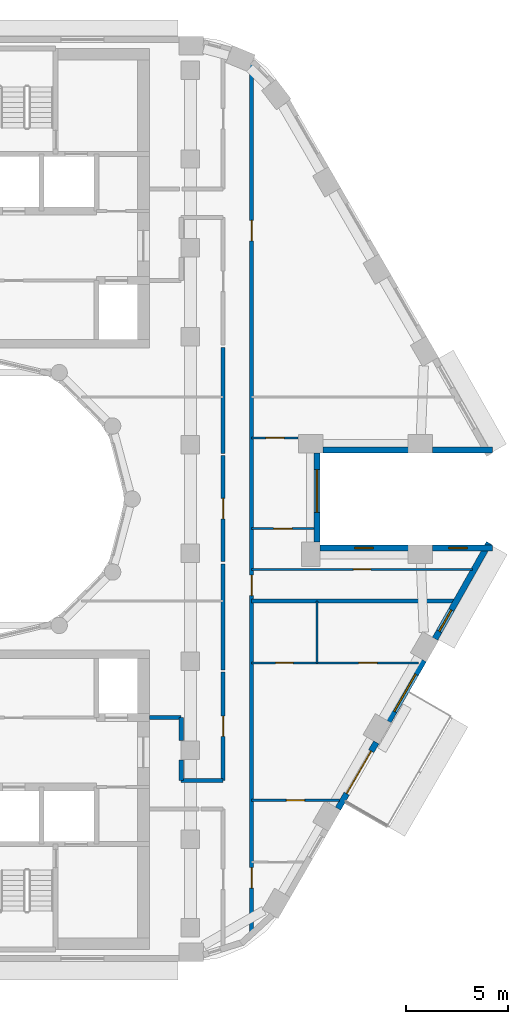
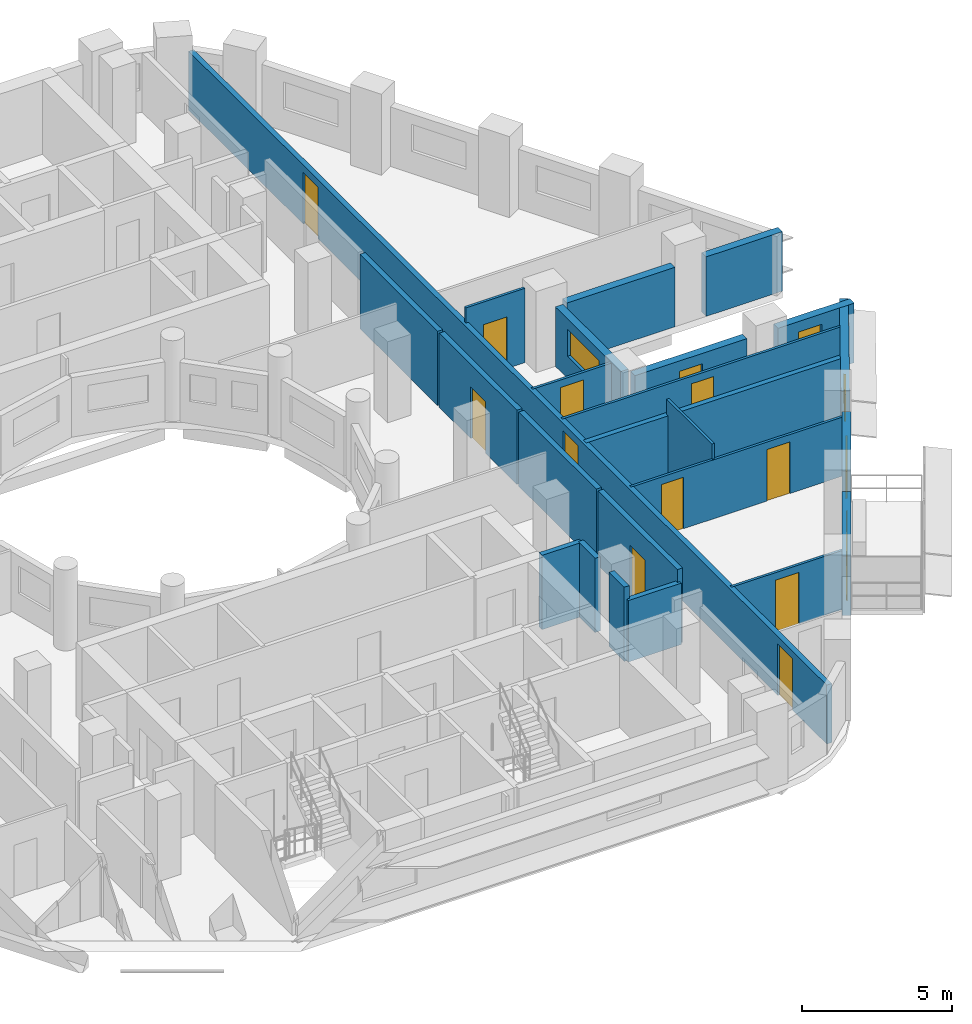
# One storey, part 6 of 15: 24 walls, 12 doors, 5 windows, 17 openings.
"""IFC4 building model written with IfcOpenShell, lengths in metres."""

from ifc_helpers import new_model, si_unit, direction, frame, frame_2d, origin, place, context, subcontext, project, spatial, rectangle, extrude, material, layer, layer_set, type_object, element, fill, save


model = new_model("IFC4")

# Units and contexts
model_context = context("Model", 3, precision=1e-05, world=origin(), true_north=direction((0.0, 1.0)))
body_context = subcontext(model_context, "Body", "Model", "MODEL_VIEW")
ifc_project = project(units=[si_unit("LENGTHUNIT", "METRE"), si_unit("AREAUNIT", "SQUARE_METRE"), si_unit("VOLUMEUNIT", "CUBIC_METRE"), si_unit("PLANEANGLEUNIT", "RADIAN"), si_unit("MASSUNIT", "GRAM", prefix="KILO")], contexts=[model_context])

# Site, building, storey
site_placement = place(None, origin())
site = spatial("IfcSite", under=ifc_project, at=site_placement, CompositionType="ELEMENT")
building_placement = place(site_placement, origin())
building = spatial("IfcBuilding", under=site, at=building_placement, Name="Nakaniwa Court", CompositionType="ELEMENT")
storey_placement = place(building_placement, frame((0.0, 0.0, 183.300048828125)))
storey = spatial("IfcBuildingStorey", under=building, at=storey_placement, Name="L47", CompositionType="ELEMENT", Elevation=183.300048828125)

# Wall, opening, door
ifc_material_1 = material(Name="Acoustic double stud partition")
ifc_layer_1 = layer(ifc_material_1, 0.199951171875)
ifc_layer_set_1 = layer_set([ifc_layer_1], Name="Acoustic double stud partition")
wall_type_1 = type_object("IfcWallType", Name="Acoustic double stud partition 200", PredefinedType="PARTITIONING", material=ifc_layer_set_1)
wall_1_placement = place(storey_placement, frame((91.60009765625, 66.22509765625, 0.0), z_axis=(0.0, 0.0, 1.0), x_axis=(0.0, 1.0, 0.0)))
wall_1 = element("IfcWall", 1, at=wall_1_placement, inside=storey, type_object=wall_type_1, Name="Partition PW-068", PredefinedType="PARTITIONING", context=body_context, shape_type="SweptSolid", body=[
    extrude(rectangle(XDim=5.297607421875, YDim=0.199951171875, at=frame_2d((2.64892578125, 0.0))), origin(), (0.0, 0.0, 1.0), 3.02490234375),
])
opening_1_placement = place(wall_1_placement, frame((2.14794921875, 0.0, 0.0)))
opening_1 = element("IfcOpeningElement", 2, at=opening_1_placement, cuts=wall_1, Name="Opening D-02-02", PredefinedType="OPENING", context=body_context, shape_type="SweptSolid", body=[
    extrude(rectangle(XDim=1.0, YDim=2.10009765625, at=frame_2d((0.5, 1.050048828125))), frame((0.0, 0.10986328125, 0.0), z_axis=(0.0, -1.0, 0.0), x_axis=(1.0, 0.0, 0.0)), (0.0, 0.0, 1.0), 0.219970703125),
])
ifc_material_2 = material(Name="Solid core timber door set, black veneer", Category="wood")
door_type_1 = type_object("IfcDoorType", Name="Internal door 1000", OperationType="NOTDEFINED", PredefinedType="DOOR", material=ifc_material_2)
door_1_placement = place(opening_1_placement, origin())
door_1 = element("IfcDoor", 3, at=door_1_placement, inside=storey, type_object=door_type_1, Name="Door D-02-02 L47-029", OperationType="SINGLE_SWING_RIGHT", OverallHeight=2.10009765625, OverallWidth=1.0, PredefinedType="DOOR", context=body_context, shape_type="SweptSolid", body=[
    extrude(rectangle(XDim=1.0, YDim=2.10009765625, at=frame_2d((0.5, 1.050048828125))), frame((0.0, 0.02490234375, 0.0), z_axis=(0.0, -1.0, 0.0), x_axis=(1.0, 0.0, 0.0)), (0.0, 0.0, 1.0), 0.050048828125),
])
fill(opening_1, door_1)

# Wall
wall_2_placement = place(storey_placement, frame((91.60009765625, 71.63720703125, 0.0), z_axis=(0.0, 0.0, 1.0), x_axis=(0.0, 1.0, 0.0)))
element("IfcWall", 4, at=wall_2_placement, inside=storey, type_object=wall_type_1, Name="Partition PW-069", PredefinedType="PARTITIONING", context=body_context, shape_type="SweptSolid", body=[
    extrude(rectangle(XDim=5.185546875, YDim=0.199951171875, at=frame_2d((2.5927734375, 0.0))), origin(), (0.0, 0.0, 1.0), 3.02490234375),
])

# Wall, opening, door
wall_3_placement = place(storey_placement, frame((91.60009765625, 76.937255859375, 0.0), z_axis=(0.0, 0.0, 1.0), x_axis=(0.0, 1.0, 0.0)))
wall_3 = element("IfcWall", 5, at=wall_3_placement, inside=storey, type_object=wall_type_1, Name="Partition PW-070", PredefinedType="PARTITIONING", context=body_context, shape_type="SweptSolid", body=[
    extrude(rectangle(XDim=5.185546875, YDim=0.199951171875, at=frame_2d((2.5927734375, 0.0))), origin(), (0.0, 0.0, 1.0), 3.02490234375),
])
opening_2_placement = place(wall_3_placement, frame((2.093017578125, 0.0, 0.0)))
opening_2 = element("IfcOpeningElement", 6, at=opening_2_placement, cuts=wall_3, Name="Opening D-02-03", PredefinedType="OPENING", context=body_context, shape_type="SweptSolid", body=[
    extrude(rectangle(XDim=1.0, YDim=2.10009765625, at=frame_2d((0.5, 1.050048828125))), frame((0.0, 0.10986328125, 0.0), z_axis=(0.0, -1.0, 0.0), x_axis=(1.0, 0.0, 0.0)), (0.0, 0.0, 1.0), 0.219970703125),
])
door_2_placement = place(opening_2_placement, origin())
door_2 = element("IfcDoor", 7, at=door_2_placement, inside=storey, type_object=door_type_1, Name="Door D-02-03 L47-030", OperationType="SINGLE_SWING_LEFT", OverallHeight=2.10009765625, OverallWidth=1.0, PredefinedType="DOOR", context=body_context, shape_type="SweptSolid", body=[
    extrude(rectangle(XDim=1.0, YDim=2.10009765625, at=frame_2d((0.5, 1.050048828125))), frame((0.0, 0.02490234375, 0.0), z_axis=(0.0, -1.0, 0.0), x_axis=(1.0, 0.0, 0.0)), (0.0, 0.0, 1.0), 0.050048828125),
])
fill(opening_2, door_2)

# Wall
wall_4_placement = place(storey_placement, frame((91.60009765625, 82.2373046875, 0.0), z_axis=(0.0, 0.0, 1.0), x_axis=(0.0, 1.0, 0.0)))
element("IfcWall", 8, at=wall_4_placement, inside=storey, type_object=wall_type_1, Name="Partition PW-071", PredefinedType="PARTITIONING", context=body_context, shape_type="SweptSolid", body=[
    extrude(rectangle(XDim=5.185546875, YDim=0.199951171875, at=frame_2d((2.5927734375, 0.0))), origin(), (0.0, 0.0, 1.0), 3.02490234375),
])

# Wall, openings, doors
wall_5_placement = place(storey_placement, frame((93.0, 101.28076171875, 0.0), z_axis=(0.0, 0.0, 1.0), x_axis=(0.0, -1.0, 0.0)))
wall_5 = element("IfcWall", 9, at=wall_5_placement, inside=storey, type_object=wall_type_1, Name="Partition PW-078", PredefinedType="PARTITIONING", context=body_context, shape_type="SweptSolid", body=[
    extrude(rectangle(XDim=42.6064453125, YDim=0.199951171875, at=frame_2d((21.30322265625, 0.0))), origin(), (0.0, 0.0, 1.0), 2.405029296875),
])
opening_3_placement = place(wall_5_placement, frame((39.330078125, 0.0, 0.0)))
opening_3 = element("IfcOpeningElement", 10, at=opening_3_placement, cuts=wall_5, Name="Opening D-01-01", PredefinedType="OPENING", context=body_context, shape_type="SweptSolid", body=[
    extrude(rectangle(XDim=1.0, YDim=2.10009765625, at=frame_2d((0.5, 1.050048828125))), frame((0.0, 0.10986328125, 0.0), z_axis=(0.0, -1.0, 0.0), x_axis=(1.0, 0.0, 0.0)), (0.0, 0.0, 1.0), 0.219970703125),
])
opening_4_placement = place(wall_5_placement, frame((25.0048828125, 0.0, 0.0)))
opening_4 = element("IfcOpeningElement", 11, at=opening_4_placement, cuts=wall_5, Name="Opening D-01-02", PredefinedType="OPENING", context=body_context, shape_type="SweptSolid", body=[
    extrude(rectangle(XDim=1.0, YDim=2.10009765625, at=frame_2d((0.5, 1.050048828125))), frame((0.0, 0.10986328125, 0.0), z_axis=(0.0, -1.0, 0.0), x_axis=(1.0, 0.0, 0.0)), (0.0, 0.0, 1.0), 0.219970703125),
])
opening_5_placement = place(wall_5_placement, frame((7.64306640625, 0.0, 0.0)))
opening_5 = element("IfcOpeningElement", 12, at=opening_5_placement, cuts=wall_5, Name="Opening D-02-04", PredefinedType="OPENING", context=body_context, shape_type="SweptSolid", body=[
    extrude(rectangle(XDim=1.0, YDim=2.10009765625, at=frame_2d((0.5, 1.050048828125))), frame((0.0, 0.10986328125, 0.0), z_axis=(0.0, -1.0, 0.0), x_axis=(1.0, 0.0, 0.0)), (0.0, 0.0, 1.0), 0.219970703125),
])
door_type_2 = type_object("IfcDoorType", Name="Flat entrance door 1000", OperationType="NOTDEFINED", PredefinedType="DOOR", material=ifc_material_2)
door_3_placement = place(opening_3_placement, origin())
door_3 = element("IfcDoor", 13, at=door_3_placement, inside=storey, type_object=door_type_2, Name="Door D-01-01 L47-024", OperationType="SINGLE_SWING_LEFT", OverallHeight=2.10009765625, OverallWidth=1.0, PredefinedType="DOOR", context=body_context, shape_type="SweptSolid", body=[
    extrude(rectangle(XDim=1.0, YDim=2.10009765625, at=frame_2d((0.5, 1.050048828125))), frame((0.0, 0.02490234375, 0.0), z_axis=(0.0, -1.0, 0.0), x_axis=(1.0, 0.0, 0.0)), (0.0, 0.0, 1.0), 0.050048828125),
])
fill(opening_3, door_3)
door_4_placement = place(opening_4_placement, origin())
door_4 = element("IfcDoor", 14, at=door_4_placement, inside=storey, type_object=door_type_2, Name="Door D-01-02 L47-031", OperationType="SINGLE_SWING_RIGHT", OverallHeight=2.10009765625, OverallWidth=1.0, PredefinedType="DOOR", context=body_context, shape_type="SweptSolid", body=[
    extrude(rectangle(XDim=1.0, YDim=2.10009765625, at=frame_2d((0.5, 1.050048828125))), frame((0.0, 0.02490234375, 0.0), z_axis=(0.0, -1.0, 0.0), x_axis=(1.0, 0.0, 0.0)), (0.0, 0.0, 1.0), 0.050048828125),
])
fill(opening_4, door_4)
door_5_placement = place(opening_5_placement, origin())
door_5 = element("IfcDoor", 15, at=door_5_placement, inside=storey, type_object=door_type_1, Name="Door D-02-04 L47-035", OperationType="SINGLE_SWING_RIGHT", OverallHeight=2.10009765625, OverallWidth=1.0, PredefinedType="DOOR", context=body_context, shape_type="SweptSolid", body=[
    extrude(rectangle(XDim=1.0, YDim=2.10009765625, at=frame_2d((0.5, 1.050048828125))), frame((0.0, 0.02490234375, 0.0), z_axis=(0.0, -1.0, 0.0), x_axis=(1.0, 0.0, 0.0)), (0.0, 0.0, 1.0), 0.050048828125),
])
fill(opening_5, door_5)

# Walls
wall_6_placement = place(storey_placement, frame((88.0, 69.300048828125, 0.0), z_axis=(0.0, 0.0, 1.0), x_axis=(1.0, 0.0, 0.0)))
element("IfcWall", 16, at=wall_6_placement, inside=storey, type_object=wall_type_1, Name="Partition PW-080", PredefinedType="PARTITIONING", context=body_context, shape_type="SweptSolid", body=[
    extrude(rectangle(XDim=1.550048828125, YDim=0.199951171875, at=frame_2d((0.77490234375, 0.0))), origin(), (0.0, 0.0, 1.0), 3.02490234375),
])
wall_7_placement = place(storey_placement, frame((89.550048828125, 66.22509765625, 0.0), z_axis=(0.0, 0.0, 1.0), x_axis=(0.0, 1.0, 0.0)))
element("IfcWall", 17, at=wall_7_placement, inside=storey, type_object=wall_type_1, Name="Partition PW-081", PredefinedType="PARTITIONING", context=body_context, shape_type="SweptSolid", body=[
    extrude(rectangle(XDim=1.0078125, YDim=0.199951171875, at=frame_2d((0.50390625, 0.0))), origin(), (0.0, 0.0, 1.0), 3.02490234375),
])
wall_8_placement = place(storey_placement, frame((89.550048828125, 68.167236328125, 0.0), z_axis=(0.0, 0.0, 1.0), x_axis=(0.0, 1.0, 0.0)))
element("IfcWall", 18, at=wall_8_placement, inside=storey, type_object=wall_type_1, Name="Partition PW-082", PredefinedType="PARTITIONING", context=body_context, shape_type="SweptSolid", body=[
    extrude(rectangle(XDim=1.1328125, YDim=0.199951171875, at=frame_2d((0.56640625, 0.0))), origin(), (0.0, 0.0, 1.0), 3.02490234375),
])
wall_9_placement = place(storey_placement, frame((89.550048828125, 66.22509765625, 0.0), z_axis=(0.0, 0.0, 1.0), x_axis=(1.0, 0.0, 0.0)))
element("IfcWall", 19, at=wall_9_placement, inside=storey, type_object=wall_type_1, Name="Partition PW-086", PredefinedType="PARTITIONING", context=body_context, shape_type="SweptSolid", body=[
    extrude(rectangle(XDim=2.050048828125, YDim=0.199951171875, at=frame_2d((1.02490234375, 0.0))), origin(), (0.0, 0.0, 1.0), 2.5048828125),
])
wall_10_placement = place(storey_placement, frame((93.001220703125, 75.0, 0.0), z_axis=(0.0, 0.0, 1.0), x_axis=(1.0, 0.0, 0.0)))
element("IfcWall", 20, at=wall_10_placement, inside=storey, type_object=wall_type_1, Name="Partition PW-116", PredefinedType="PARTITIONING", context=body_context, shape_type="SweptSolid", body=[
    extrude(rectangle(XDim=9.91943359375, YDim=0.199951171875, at=frame_2d((4.959716796875, 0.0))), origin(), (0.0, 0.0, 1.0), 2.405029296875),
])
ifc_material_3 = material(Name="Charcoal ceramic cladding")
ifc_layer_2 = layer(ifc_material_3, 0.02, Name="Ceramic cladding")
ifc_material_4 = material(Name="Ventilated air cavity")
ifc_layer_3 = layer(ifc_material_4, 0.04, ventilated=True, Name="Ventilated cavity")
ifc_material_5 = material(Name="Mineral wool insulation")
ifc_layer_4 = layer(ifc_material_5, 0.1, Name="Insulation")
ifc_material_6 = material(Name="Cement bonded sheathing board")
ifc_layer_5 = layer(ifc_material_6, 0.012, Name="Sheathing")
ifc_material_7 = material(Name="Cold-formed galvanised stud frame with mineral wool infill")
ifc_layer_6 = layer(ifc_material_7, 0.1, Name="Stud frame")
ifc_material_8 = material(Name="Fire-rated gypsum plasterboard lining")
ifc_layer_7 = layer(ifc_material_8, 0.028, Name="Lining")
ifc_layer_set_2 = layer_set([ifc_layer_2, ifc_layer_3, ifc_layer_4, ifc_layer_5, ifc_layer_6, ifc_layer_7], Name="Charcoal ceramic faced external wall system")
wall_type_2 = type_object("IfcWallType", Name="Black ceramic faced external wall 300", PredefinedType="SOLIDWALL", material=ifc_layer_set_2)
wall_11_placement = place(storey_placement, frame((96.49560546875, 82.39990234375, 0.0), z_axis=(0.0, 0.0, 1.0), x_axis=(1.0, 0.0, 0.0)))
element("IfcWall", 21, at=wall_11_placement, inside=storey, type_object=wall_type_2, Name="L47 external wall 00", PredefinedType="SOLIDWALL", context=body_context, shape_type="SweptSolid", body=[
    extrude(rectangle(XDim=4.17236328125, YDim=0.300048828125, at=frame_2d((2.086181640625, 0.0))), origin(), (0.0, 0.0, 1.0), 2.425048828125),
])
wall_12_placement = place(storey_placement, frame((101.860107421875, 82.39990234375, 0.0), z_axis=(0.0, 0.0, 1.0), x_axis=(1.0, 0.0, 0.0)))
element("IfcWall", 22, at=wall_12_placement, inside=storey, type_object=wall_type_2, Name="L47 external wall 01", PredefinedType="SOLIDWALL", context=body_context, shape_type="SweptSolid", body=[
    extrude(rectangle(XDim=2.937744140625, YDim=0.300048828125, at=frame_2d((1.46875, 0.0))), origin(), (0.0, 0.0, 1.0), 2.425048828125),
])

# Wall, opening, door
wall_13_placement = place(storey_placement, frame((97.22900390625, 64.841552734375, 0.0), z_axis=(0.0, 0.0, 1.0), x_axis=(0.500059225181, 0.86599120741, 0.0)))
wall_13 = element("IfcWall", 23, at=wall_13_placement, inside=storey, type_object=wall_type_2, Name="L47 external wall 30", PredefinedType="SOLIDWALL", context=body_context, shape_type="SweptSolid", body=[
    extrude(rectangle(XDim=3.744140625, YDim=0.300048828125, at=frame_2d((1.8720703125, 0.0))), origin(), (0.0, 0.0, 1.0), 2.425048828125),
])
opening_6_placement = place(wall_13_placement, frame((0.847412109375, 0.0, 0.0)))
opening_6 = element("IfcOpeningElement", 24, at=opening_6_placement, cuts=wall_13, Name="Opening XD13.02", PredefinedType="OPENING", context=body_context, shape_type="SweptSolid", body=[
    extrude(rectangle(XDim=2.39990234375, YDim=2.0, at=frame_2d((1.199951171875, 1.0))), frame((0.0, 0.159912109375, 0.0), z_axis=(0.0, -1.0, 0.0), x_axis=(1.0, 0.0, 0.0)), (0.0, 0.0, 1.0), 0.320068359375),
])
ifc_material_9 = material(Name="Black powder-coated aluminium frame with dark laminated glass", Category="aluminium")
door_type_3 = type_object("IfcDoorType", Name="Balcony sliding door 2400x2000", OperationType="DOUBLE_DOOR_SLIDING", PredefinedType="DOOR", material=ifc_material_9)
door_6_placement = place(opening_6_placement, origin())
door_6 = element("IfcDoor", 25, at=door_6_placement, inside=storey, type_object=door_type_3, Name="L47 balcony sliding door 02", OperationType="DOUBLE_DOOR_SLIDING", OverallHeight=2.0, OverallWidth=2.39990234375, PredefinedType="DOOR", context=body_context, shape_type="SweptSolid", body=[
    extrude(rectangle(XDim=2.39990234375, YDim=2.0, at=frame_2d((1.199951171875, 1.0))), frame((0.0, 0.02490234375, 0.0), z_axis=(0.0, -1.0, 0.0), x_axis=(1.0, 0.0, 0.0)), (0.0, 0.0, 1.0), 0.050048828125),
])
fill(opening_6, door_6)

# Wall, opening, window
wall_14_placement = place(storey_placement, frame((99.697265625, 69.116455078125, 0.0), z_axis=(0.0, 0.0, 1.0), x_axis=(0.499955427682, 0.866051136095, 0.0)))
wall_14 = element("IfcWall", 26, at=wall_14_placement, inside=storey, type_object=wall_type_2, Name="L47 external wall 31", PredefinedType="SOLIDWALL", context=body_context, shape_type="SweptSolid", body=[
    extrude(rectangle(XDim=3.447021484375, YDim=0.300048828125, at=frame_2d((1.7236328125, 0.0))), origin(), (0.0, 0.0, 1.0), 2.425048828125),
])
opening_7_placement = place(wall_14_placement, frame((0.56298828125, 0.0, 0.89990234375)))
opening_7 = element("IfcOpeningElement", 27, at=opening_7_placement, cuts=wall_14, Name="Opening W7.31", PredefinedType="OPENING", context=body_context, shape_type="SweptSolid", body=[
    extrude(rectangle(XDim=2.10009765625, YDim=1.10009765625, at=frame_2d((1.050048828125, 0.550048828125))), frame((0.0, 0.159912109375, 0.0), z_axis=(0.0, -1.0, 0.0), x_axis=(1.0, 0.0, 0.0)), (0.0, 0.0, 1.0), 0.320068359375),
])
ifc_material_10 = material(Name="Black anodised aluminium frame with dark low-E laminated double glazing", Category="aluminium")
window_type_1 = type_object("IfcWindowType", Name="Dark glass window 2100x1100 sill 900", PartitioningType="SINGLE_PANEL", PredefinedType="WINDOW", material=ifc_material_10)
window_1_placement = place(opening_7_placement, origin())
window_1 = element("IfcWindow", 28, at=window_1_placement, inside=storey, type_object=window_type_1, Name="L47 living window 31-0", OverallHeight=1.10009765625, OverallWidth=2.10009765625, PartitioningType="SINGLE_PANEL", PredefinedType="WINDOW", context=body_context, shape_type="SweptSolid", body=[
    extrude(rectangle(XDim=2.10009765625, YDim=1.10009765625, at=frame_2d((1.050048828125, 0.550048828125))), frame((0.0, 0.030029296875, 0.0), z_axis=(0.0, -1.0, 0.0), x_axis=(1.0, 0.0, 0.0)), (0.0, 0.0, 1.0), 0.06005859375),
])
fill(opening_7, window_1)

wall_15_placement = place(storey_placement, frame((101.976806640625, 73.156982421875, 0.0), z_axis=(0.0, 0.0, 1.0), x_axis=(0.492033360928, 0.870576344575, 0.0)))
wall_15 = element("IfcWall", 29, at=wall_15_placement, inside=storey, type_object=wall_type_2, Name="L47 external wall 32", PredefinedType="SOLIDWALL", context=body_context, shape_type="SweptSolid", body=[
    extrude(rectangle(XDim=5.38671875, YDim=0.300048828125, at=frame_2d((2.693359375, 0.0))), origin(), (0.0, 0.0, 1.0), 2.425048828125),
])
opening_8_placement = place(wall_15_placement, frame((0.42333984375, 0.0, 0.89990234375)))
opening_8 = element("IfcOpeningElement", 30, at=opening_8_placement, cuts=wall_15, Name="Opening W6.32", PredefinedType="OPENING", context=body_context, shape_type="SweptSolid", body=[
    extrude(rectangle(XDim=1.199951171875, YDim=1.10009765625, at=frame_2d((0.60009765625, 0.550048828125))), frame((0.0, 0.159912109375, 0.0), z_axis=(0.0, -1.0, 0.0), x_axis=(1.0, 0.0, 0.0)), (0.0, 0.0, 1.0), 0.320068359375),
])
window_type_2 = type_object("IfcWindowType", Name="Dark glass window 1200x1100 sill 900", PartitioningType="SINGLE_PANEL", PredefinedType="WINDOW", material=ifc_material_10)
window_2_placement = place(opening_8_placement, origin())
window_2 = element("IfcWindow", 31, at=window_2_placement, inside=storey, type_object=window_type_2, Name="L47 habitable room window 32-0", OverallHeight=1.10009765625, OverallWidth=1.199951171875, PartitioningType="SINGLE_PANEL", PredefinedType="WINDOW", context=body_context, shape_type="SweptSolid", body=[
    extrude(rectangle(XDim=1.199951171875, YDim=1.10009765625, at=frame_2d((0.60009765625, 0.550048828125))), frame((0.0, 0.030029296875, 0.0), z_axis=(0.0, -1.0, 0.0), x_axis=(1.0, 0.0, 0.0)), (0.0, 0.0, 1.0), 0.06005859375),
])
fill(opening_8, window_2)

wall_16_placement = place(storey_placement, frame((104.7978515625, 77.60009765625, 0.0), z_axis=(0.0, 0.0, 1.0), x_axis=(-1.0, 0.0, 0.0)))
wall_16 = element("IfcWall", 32, at=wall_16_placement, inside=storey, type_object=wall_type_2, Name="L47 external wall 33", PredefinedType="SOLIDWALL", context=body_context, shape_type="SweptSolid", body=[
    extrude(rectangle(XDim=2.937744140625, YDim=0.300048828125, at=frame_2d((1.46875, 0.0))), origin(), (0.0, 0.0, 1.0), 2.425048828125),
])
opening_9_placement = place(wall_16_placement, frame((1.243896484375, 0.0, 1.5)))
opening_9 = element("IfcOpeningElement", 33, at=opening_9_placement, cuts=wall_16, Name="Opening W10.33", PredefinedType="OPENING", context=body_context, shape_type="SweptSolid", body=[
    extrude(rectangle(XDim=0.89990234375, YDim=0.5, at=frame_2d((0.449951171875, 0.25))), frame((0.0, 0.159912109375, 0.0), z_axis=(0.0, -1.0, 0.0), x_axis=(1.0, 0.0, 0.0)), (0.0, 0.0, 1.0), 0.320068359375),
])
window_type_3 = type_object("IfcWindowType", Name="Dark glass window 900x500 sill 1500", PartitioningType="SINGLE_PANEL", PredefinedType="WINDOW", material=ifc_material_10)
window_3_placement = place(opening_9_placement, origin())
window_3 = element("IfcWindow", 34, at=window_3_placement, inside=storey, type_object=window_type_3, Name="L47 bathroom window 33-0", OverallHeight=0.5, OverallWidth=0.89990234375, PartitioningType="SINGLE_PANEL", PredefinedType="WINDOW", context=body_context, shape_type="SweptSolid", body=[
    extrude(rectangle(XDim=0.89990234375, YDim=0.5, at=frame_2d((0.449951171875, 0.25))), frame((0.0, 0.030029296875, 0.0), z_axis=(0.0, -1.0, 0.0), x_axis=(1.0, 0.0, 0.0)), (0.0, 0.0, 1.0), 0.06005859375),
])
fill(opening_9, window_3)

wall_17_placement = place(storey_placement, frame((100.66796875, 77.60009765625, 0.0), z_axis=(0.0, 0.0, 1.0), x_axis=(-1.0, 0.0, 0.0)))
wall_17 = element("IfcWall", 35, at=wall_17_placement, inside=storey, type_object=wall_type_2, Name="L47 external wall 34", PredefinedType="SOLIDWALL", context=body_context, shape_type="SweptSolid", body=[
    extrude(rectangle(XDim=4.322509765625, YDim=0.300048828125, at=frame_2d((2.1611328125, 0.0))), origin(), (0.0, 0.0, 1.0), 2.425048828125),
])
opening_10_placement = place(wall_17_placement, frame((1.711181640625, 0.0, 1.5)))
opening_10 = element("IfcOpeningElement", 36, at=opening_10_placement, cuts=wall_17, Name="Opening W10.34", PredefinedType="OPENING", context=body_context, shape_type="SweptSolid", body=[
    extrude(rectangle(XDim=0.89990234375, YDim=0.5, at=frame_2d((0.449951171875, 0.25))), frame((0.0, 0.159912109375, 0.0), z_axis=(0.0, -1.0, 0.0), x_axis=(1.0, 0.0, 0.0)), (0.0, 0.0, 1.0), 0.320068359375),
])
window_4_placement = place(opening_10_placement, origin())
window_4 = element("IfcWindow", 37, at=window_4_placement, inside=storey, type_object=window_type_3, Name="L47 bathroom window 34-0", OverallHeight=0.5, OverallWidth=0.89990234375, PartitioningType="SINGLE_PANEL", PredefinedType="WINDOW", context=body_context, shape_type="SweptSolid", body=[
    extrude(rectangle(XDim=0.89990234375, YDim=0.5, at=frame_2d((0.449951171875, 0.25))), frame((0.0, 0.030029296875, 0.0), z_axis=(0.0, -1.0, 0.0), x_axis=(1.0, 0.0, 0.0)), (0.0, 0.0, 1.0), 0.06005859375),
])
fill(opening_10, window_4)

wall_18_placement = place(storey_placement, frame((96.199462890625, 77.89599609375, 0.0), z_axis=(0.0, 0.0, 1.0), x_axis=(0.0, 1.0, 0.0)))
wall_18 = element("IfcWall", 38, at=wall_18_placement, inside=storey, type_object=wall_type_2, Name="L47 external wall 35", PredefinedType="SOLIDWALL", context=body_context, shape_type="SweptSolid", body=[
    extrude(rectangle(XDim=4.35791015625, YDim=0.300048828125, at=frame_2d((2.178955078125, 0.0))), origin(), (0.0, 0.0, 1.0), 2.425048828125),
])
opening_11_placement = place(wall_18_placement, frame((1.444580078125, 0.0, 0.89990234375)))
opening_11 = element("IfcOpeningElement", 39, at=opening_11_placement, cuts=wall_18, Name="Opening W7.35", PredefinedType="OPENING", context=body_context, shape_type="SweptSolid", body=[
    extrude(rectangle(XDim=2.10009765625, YDim=1.10009765625, at=frame_2d((1.050048828125, 0.550048828125))), frame((0.0, 0.159912109375, 0.0), z_axis=(0.0, -1.0, 0.0), x_axis=(1.0, 0.0, 0.0)), (0.0, 0.0, 1.0), 0.320068359375),
])
window_5_placement = place(opening_11_placement, origin())
window_5 = element("IfcWindow", 40, at=window_5_placement, inside=storey, type_object=window_type_1, Name="L47 living window 35-1", OverallHeight=1.10009765625, OverallWidth=2.10009765625, PartitioningType="SINGLE_PANEL", PredefinedType="WINDOW", context=body_context, shape_type="SweptSolid", body=[
    extrude(rectangle(XDim=2.10009765625, YDim=1.10009765625, at=frame_2d((1.050048828125, 0.550048828125))), frame((0.0, 0.030029296875, 0.0), z_axis=(0.0, -1.0, 0.0), x_axis=(1.0, 0.0, 0.0)), (0.0, 0.0, 1.0), 0.06005859375),
])
fill(opening_11, window_5)

# Wall, opening, door
ifc_material_11 = material(Name="Single stud plasterboard partition")
ifc_layer_8 = layer(ifc_material_11, 0.10009765625)
ifc_layer_set_3 = layer_set([ifc_layer_8], Name="Single stud plasterboard partition")
wall_type_3 = type_object("IfcWallType", Name="Single stud plasterboard partition 100", PredefinedType="PARTITIONING", material=ifc_layer_set_3)
wall_19_placement = place(storey_placement, frame((93.0009765625, 65.2509765625, 0.0), z_axis=(0.0, 0.0, 1.0), x_axis=(1.0, 0.0, 0.0)))
wall_19 = element("IfcWall", 41, at=wall_19_placement, inside=storey, type_object=wall_type_3, Name="Partition PW-113", PredefinedType="PARTITIONING", context=body_context, shape_type="SweptSolid", body=[
    extrude(rectangle(XDim=4.291015625, YDim=0.10009765625, at=frame_2d((2.1455078125, 0.0))), origin(), (0.0, 0.0, 1.0), 2.405029296875),
])
opening_12_placement = place(wall_19_placement, frame((1.696044921875, 0.0, 0.0)))
opening_12 = element("IfcOpeningElement", 42, at=opening_12_placement, cuts=wall_19, Name="Opening D-33-02", PredefinedType="OPENING", context=body_context, shape_type="SweptSolid", body=[
    extrude(rectangle(XDim=0.89990234375, YDim=2.10009765625, at=frame_2d((0.449951171875, 1.050048828125))), frame((0.0, 0.06005859375, 0.0), z_axis=(0.0, -1.0, 0.0), x_axis=(1.0, 0.0, 0.0)), (0.0, 0.0, 1.0), 0.1201171875),
])
door_type_4 = type_object("IfcDoorType", Name="Internal door 900", OperationType="NOTDEFINED", PredefinedType="DOOR", material=ifc_material_2)
door_7_placement = place(opening_12_placement, origin())
door_7 = element("IfcDoor", 43, at=door_7_placement, inside=storey, type_object=door_type_4, Name="Door D-33-02 L47-026", OperationType="SINGLE_SWING_LEFT", OverallHeight=2.10009765625, OverallWidth=0.89990234375, PredefinedType="DOOR", context=body_context, shape_type="SweptSolid", body=[
    extrude(rectangle(XDim=0.89990234375, YDim=2.10009765625, at=frame_2d((0.449951171875, 1.050048828125))), frame((0.0, 0.02490234375, 0.0), z_axis=(0.0, -1.0, 0.0), x_axis=(1.0, 0.0, 0.0)), (0.0, 0.0, 1.0), 0.050048828125),
])
fill(opening_12, door_7)

# Wall, openings, doors
wall_20_placement = place(storey_placement, frame((93.0009765625, 71.97412109375, 0.0), z_axis=(0.0, 0.0, 1.0), x_axis=(1.0, 0.0, 0.0)))
wall_20 = element("IfcWall", 44, at=wall_20_placement, inside=storey, type_object=wall_type_3, Name="Partition PW-114", PredefinedType="PARTITIONING", context=body_context, shape_type="SweptSolid", body=[
    extrude(rectangle(XDim=8.173095703125, YDim=0.10009765625, at=frame_2d((4.08642578125, 0.0))), origin(), (0.0, 0.0, 1.0), 2.405029296875),
])
opening_13_placement = place(wall_20_placement, frame((1.175048828125, 0.0, 0.0)))
opening_13 = element("IfcOpeningElement", 45, at=opening_13_placement, cuts=wall_20, Name="Opening D-03-01", PredefinedType="OPENING", context=body_context, shape_type="SweptSolid", body=[
    extrude(rectangle(XDim=0.85009765625, YDim=2.10009765625, at=frame_2d((0.425048828125, 1.050048828125))), frame((0.0, 0.06005859375, 0.0), z_axis=(0.0, -1.0, 0.0), x_axis=(1.0, 0.0, 0.0)), (0.0, 0.0, 1.0), 0.1201171875),
])
opening_14_placement = place(wall_20_placement, frame((5.236083984375, 0.0, 0.0)))
opening_14 = element("IfcOpeningElement", 46, at=opening_14_placement, cuts=wall_20, Name="Opening D-33-03", PredefinedType="OPENING", context=body_context, shape_type="SweptSolid", body=[
    extrude(rectangle(XDim=0.89990234375, YDim=2.10009765625, at=frame_2d((0.449951171875, 1.050048828125))), frame((0.0, 0.06005859375, 0.0), z_axis=(0.0, -1.0, 0.0), x_axis=(1.0, 0.0, 0.0)), (0.0, 0.0, 1.0), 0.1201171875),
])
ifc_material_12 = material(Name="Moisture sealed timber door set", Category="wood")
door_type_5 = type_object("IfcDoorType", Name="Bathroom door 850", OperationType="NOTDEFINED", PredefinedType="DOOR", material=ifc_material_12)
door_8_placement = place(opening_13_placement, origin())
door_8 = element("IfcDoor", 47, at=door_8_placement, inside=storey, type_object=door_type_5, Name="Door D-03-01 L47-027", OperationType="SINGLE_SWING_RIGHT", OverallHeight=2.10009765625, OverallWidth=0.85009765625, PredefinedType="DOOR", context=body_context, shape_type="SweptSolid", body=[
    extrude(rectangle(XDim=0.85009765625, YDim=2.10009765625, at=frame_2d((0.425048828125, 1.050048828125))), frame((0.0, 0.02490234375, 0.0), z_axis=(0.0, -1.0, 0.0), x_axis=(1.0, 0.0, 0.0)), (0.0, 0.0, 1.0), 0.050048828125),
])
fill(opening_13, door_8)
door_9_placement = place(opening_14_placement, origin())
door_9 = element("IfcDoor", 48, at=door_9_placement, inside=storey, type_object=door_type_4, Name="Door D-33-03 L47-028", OperationType="SINGLE_SWING_LEFT", OverallHeight=2.10009765625, OverallWidth=0.89990234375, PredefinedType="DOOR", context=body_context, shape_type="SweptSolid", body=[
    extrude(rectangle(XDim=0.89990234375, YDim=2.10009765625, at=frame_2d((0.449951171875, 1.050048828125))), frame((0.0, 0.02490234375, 0.0), z_axis=(0.0, -1.0, 0.0), x_axis=(1.0, 0.0, 0.0)), (0.0, 0.0, 1.0), 0.050048828125),
])
fill(opening_14, door_9)

# Wall
wall_21_placement = place(storey_placement, frame((96.200927734375, 71.974365234375, 0.0), z_axis=(0.0, 0.0, 1.0), x_axis=(0.0, 1.0, 0.0)))
element("IfcWall", 49, at=wall_21_placement, inside=storey, type_object=wall_type_3, Name="Partition PW-115", PredefinedType="PARTITIONING", context=body_context, shape_type="SweptSolid", body=[
    extrude(rectangle(XDim=3.025634765625, YDim=0.10009765625, at=frame_2d((1.5126953125, 0.0))), origin(), (0.0, 0.0, 1.0), 3.02490234375),
])

# Wall, opening, door
wall_22_placement = place(storey_placement, frame((93.0009765625, 76.550048828125, 0.0), z_axis=(0.0, 0.0, 1.0), x_axis=(1.0, 0.0, 0.0)))
wall_22 = element("IfcWall", 50, at=wall_22_placement, inside=storey, type_object=wall_type_3, Name="Partition PW-120", PredefinedType="PARTITIONING", context=body_context, shape_type="SweptSolid", body=[
    extrude(rectangle(XDim=10.81494140625, YDim=0.10009765625, at=frame_2d((5.407470703125, 0.0))), origin(), (0.0, 0.0, 1.0), 2.405029296875),
])
opening_15_placement = place(wall_22_placement, frame((4.98193359375, 0.0, 0.0)))
opening_15 = element("IfcOpeningElement", 51, at=opening_15_placement, cuts=wall_22, Name="Opening D-03-02", PredefinedType="OPENING", context=body_context, shape_type="SweptSolid", body=[
    extrude(rectangle(XDim=0.85009765625, YDim=2.10009765625, at=frame_2d((0.425048828125, 1.050048828125))), frame((0.0, 0.06005859375, 0.0), z_axis=(0.0, -1.0, 0.0), x_axis=(1.0, 0.0, 0.0)), (0.0, 0.0, 1.0), 0.1201171875),
])
door_10_placement = place(opening_15_placement, origin())
door_10 = element("IfcDoor", 52, at=door_10_placement, inside=storey, type_object=door_type_5, Name="Door D-03-02 L47-032", OperationType="SINGLE_SWING_LEFT", OverallHeight=2.10009765625, OverallWidth=0.85009765625, PredefinedType="DOOR", context=body_context, shape_type="SweptSolid", body=[
    extrude(rectangle(XDim=0.85009765625, YDim=2.10009765625, at=frame_2d((0.425048828125, 1.050048828125))), frame((0.0, 0.02490234375, 0.0), z_axis=(0.0, -1.0, 0.0), x_axis=(1.0, 0.0, 0.0)), (0.0, 0.0, 1.0), 0.050048828125),
])
fill(opening_15, door_10)

wall_23_placement = place(storey_placement, frame((93.0009765625, 78.551025390625, 0.0), z_axis=(0.0, 0.0, 1.0), x_axis=(1.0, 0.0, 0.0)))
wall_23 = element("IfcWall", 53, at=wall_23_placement, inside=storey, type_object=wall_type_3, Name="Partition PW-121", PredefinedType="PARTITIONING", context=body_context, shape_type="SweptSolid", body=[
    extrude(rectangle(XDim=3.048583984375, YDim=0.10009765625, at=frame_2d((1.5244140625, 0.0))), origin(), (0.0, 0.0, 1.0), 2.405029296875),
])
opening_16_placement = place(wall_23_placement, frame((1.073974609375, 0.0, 0.0)))
opening_16 = element("IfcOpeningElement", 54, at=opening_16_placement, cuts=wall_23, Name="Opening D-33-04", PredefinedType="OPENING", context=body_context, shape_type="SweptSolid", body=[
    extrude(rectangle(XDim=0.89990234375, YDim=2.10009765625, at=frame_2d((0.449951171875, 1.050048828125))), frame((0.0, 0.06005859375, 0.0), z_axis=(0.0, -1.0, 0.0), x_axis=(1.0, 0.0, 0.0)), (0.0, 0.0, 1.0), 0.1201171875),
])
door_11_placement = place(opening_16_placement, origin())
door_11 = element("IfcDoor", 55, at=door_11_placement, inside=storey, type_object=door_type_4, Name="Door D-33-04 L47-033", OperationType="SINGLE_SWING_RIGHT", OverallHeight=2.10009765625, OverallWidth=0.89990234375, PredefinedType="DOOR", context=body_context, shape_type="SweptSolid", body=[
    extrude(rectangle(XDim=0.89990234375, YDim=2.10009765625, at=frame_2d((0.449951171875, 1.050048828125))), frame((0.0, 0.02490234375, 0.0), z_axis=(0.0, -1.0, 0.0), x_axis=(1.0, 0.0, 0.0)), (0.0, 0.0, 1.0), 0.050048828125),
])
fill(opening_16, door_11)

wall_24_placement = place(storey_placement, frame((93.0009765625, 82.9990234375, 0.0), z_axis=(0.0, 0.0, 1.0), x_axis=(1.0, 0.0, 0.0)))
wall_24 = element("IfcWall", 56, at=wall_24_placement, inside=storey, type_object=wall_type_3, Name="Partition PW-122", PredefinedType="PARTITIONING", context=body_context, shape_type="SweptSolid", body=[
    extrude(rectangle(XDim=2.278564453125, YDim=0.10009765625, at=frame_2d((1.13916015625, 0.0))), origin(), (0.0, 0.0, 1.0), 3.02490234375),
])
opening_17_placement = place(wall_24_placement, frame((0.68896484375, 0.0, 0.0)))
opening_17 = element("IfcOpeningElement", 57, at=opening_17_placement, cuts=wall_24, Name="Opening D-33-05", PredefinedType="OPENING", context=body_context, shape_type="SweptSolid", body=[
    extrude(rectangle(XDim=0.89990234375, YDim=2.10009765625, at=frame_2d((0.449951171875, 1.050048828125))), frame((0.0, 0.06005859375, 0.0), z_axis=(0.0, -1.0, 0.0), x_axis=(1.0, 0.0, 0.0)), (0.0, 0.0, 1.0), 0.1201171875),
])
door_12_placement = place(opening_17_placement, origin())
door_12 = element("IfcDoor", 58, at=door_12_placement, inside=storey, type_object=door_type_4, Name="Door D-33-05 L47-034", OperationType="SINGLE_SWING_LEFT", OverallHeight=2.10009765625, OverallWidth=0.89990234375, PredefinedType="DOOR", context=body_context, shape_type="SweptSolid", body=[
    extrude(rectangle(XDim=0.89990234375, YDim=2.10009765625, at=frame_2d((0.449951171875, 1.050048828125))), frame((0.0, 0.02490234375, 0.0), z_axis=(0.0, -1.0, 0.0), x_axis=(1.0, 0.0, 0.0)), (0.0, 0.0, 1.0), 0.050048828125),
])
fill(opening_17, door_12)

save(model, "model.ifc")
